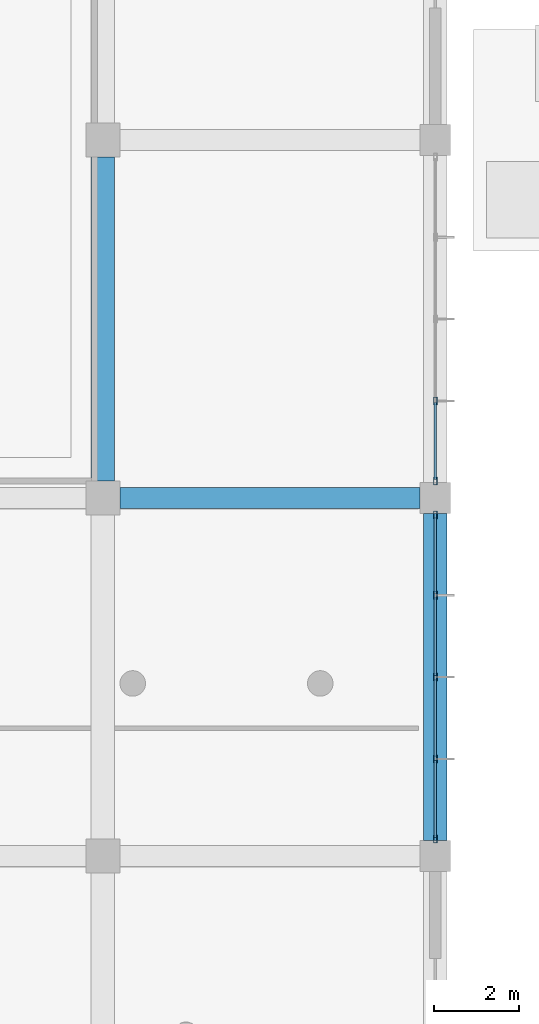
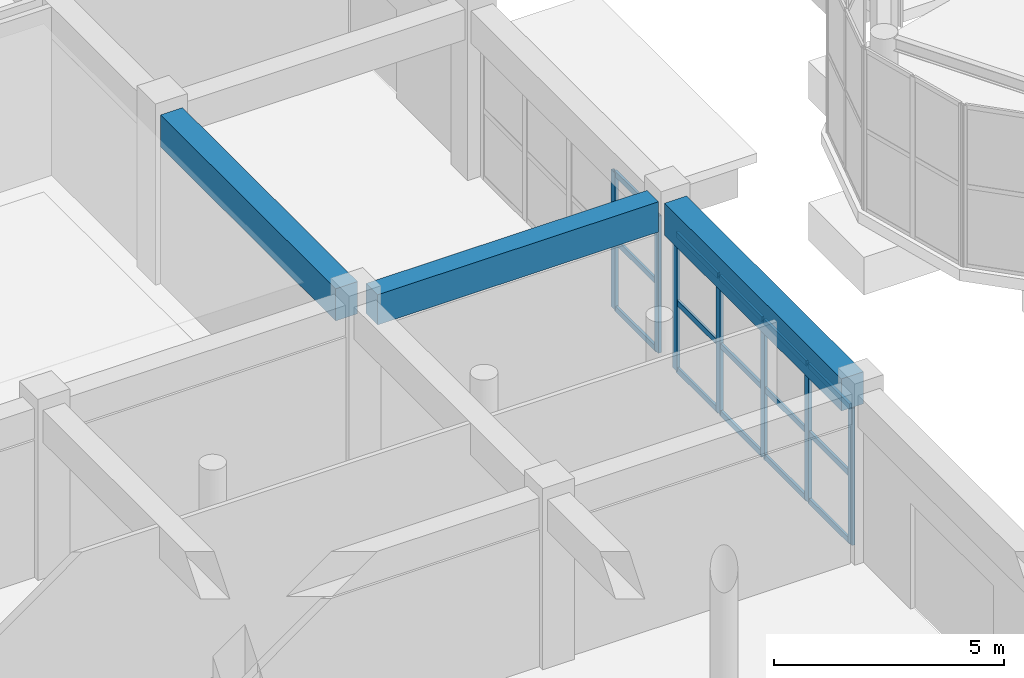
# One storey, part 46 of 139: 22 members, 3 beams, 2 elements without a shape of their own.
"""IFC4 building model written with IfcOpenShell, lengths in metres."""

import ifcopenshell
import ifcopenshell.guid

model = None  # the IFC model being written
_history = None  # IfcOwnerHistory: only IFC2X3 demands one
_inside = {}  # id of a spatial element -> (the spatial element, [elements in it])
_under = {}  # id of a project, library or spatial element -> (it, [spatial elements below it])
_declared = {}  # id of a project -> (the project, [libraries it declares])
_typed = {}  # id of a type object -> (the type object, [elements of that type])
_made_of = {}  # id of a material, layer set ... -> (it, [elements and type objects made of it])


def new_model(schema):
    """Start an empty IFC model of exactly this schema.

    Asked for "IFC4X3", IfcOpenShell would pick the latest addendum, in which some entities
    have other attributes; the version numbers below select the first issue.
    IFC2X3 requires an IfcOwnerHistory on every rooted entity: one is made here for all.
    """
    global model, _history
    if schema == "IFC4X3":
        model = ifcopenshell.file(schema_version=(4, 3, 0, 0))
    else:
        model = ifcopenshell.file(schema=schema)
    _inside.clear()
    _under.clear()
    _declared.clear()
    _typed.clear()
    _made_of.clear()
    _history = None
    if model.schema == "IFC2X3":
        org = make("IfcOrganization", Name="unknown")
        user = make(
            "IfcPersonAndOrganization",
            ThePerson=make("IfcPerson", FamilyName="unknown"),
            TheOrganization=org,
        )
        app = make(
            "IfcApplication",
            ApplicationDeveloper=org,
            Version="unknown",
            ApplicationFullName="unknown",
            ApplicationIdentifier="unknown",
        )
        _history = make(
            "IfcOwnerHistory",
            OwningUser=user,
            OwningApplication=app,
            ChangeAction="ADDED",
            CreationDate=0,
        )
    return model


def make(cls, **values):
    """One entity of the class cls with the attributes given. An attribute that is None is left unset."""
    return model.create_entity(
        cls, **{name: value for name, value in values.items() if value is not None}
    )


def rooted(cls, **values):
    """An entity with a GlobalId (a new one), such as an element, a storey or a relation."""
    return make(cls, GlobalId=ifcopenshell.guid.new(), OwnerHistory=_history, **values)


def si_unit(unit_type, name, prefix=None):
    """IfcSIUnit, for example si_unit("LENGTHUNIT", "METRE", prefix="MILLI")."""
    return make("IfcSIUnit", UnitType=unit_type, Prefix=prefix, Name=name)


def assignment(units):
    """IfcUnitAssignment: the units of a project."""
    return None if units is None else make("IfcUnitAssignment", Units=units)


def point(xyz):
    """IfcCartesianPoint."""
    return None if xyz is None else make("IfcCartesianPoint", Coordinates=xyz)


def direction(xyz):
    """IfcDirection."""
    return None if xyz is None else make("IfcDirection", DirectionRatios=xyz)


def frame(location, z_axis=None, x_axis=None):
    """IfcAxis2Placement3D, a coordinate frame: its origin and axes. An axis left out is left unset."""
    return make(
        "IfcAxis2Placement3D",
        Location=point(location),
        Axis=direction(z_axis),
        RefDirection=direction(x_axis),
    )


def frame_2d(location, x_axis=None):
    """IfcAxis2Placement2D, a coordinate frame in the plane: its origin and x axis."""
    return make(
        "IfcAxis2Placement2D", Location=point(location), RefDirection=direction(x_axis)
    )


def origin():
    """The frame at (0, 0, 0) with its axes left unset."""
    return frame((0.0, 0.0, 0.0))


def origin_2d():
    """The frame at (0, 0) in the plane with its x axis left unset."""
    return frame_2d((0.0, 0.0))


def place(relative_to, where):
    """IfcLocalPlacement: puts the frame where relative to a parent placement (None: the world)."""
    return make(
        "IfcLocalPlacement", PlacementRelTo=relative_to, RelativePlacement=where
    )


def context(
    kind, dimensions, precision=None, world=None, true_north=None, identifier=None
):
    """IfcGeometricRepresentationContext, for example the 3D "Model" context."""
    return make(
        "IfcGeometricRepresentationContext",
        ContextIdentifier=identifier,
        ContextType=kind,
        CoordinateSpaceDimension=dimensions,
        Precision=precision,
        WorldCoordinateSystem=world,
        TrueNorth=true_north,
    )


def subcontext(parent, identifier, kind, view, scale=None):
    """IfcGeometricRepresentationSubContext, for example "Body" below "Model"."""
    return make(
        "IfcGeometricRepresentationSubContext",
        ContextIdentifier=identifier,
        ContextType=kind,
        ParentContext=parent,
        TargetScale=scale,
        TargetView=view,
    )


def project(units=None, contexts=None):
    """IfcProject with its units and contexts."""
    return rooted(
        "IfcProject",
        Name="project",
        RepresentationContexts=contexts,
        UnitsInContext=assignment(units),
    )


def spatial(cls, under=None, at=None, **own):
    """A site, building, storey or space (cls), placed at a placement, below another one or the project."""
    s = rooted(cls, ObjectPlacement=at, **own)
    if under is not None:
        _under.setdefault(under.id(), (under, []))[1].append(s)
    return s


def profile(cls, at=None, kind="AREA", **sizes):
    """A parametric profile (cls). Its sizes go by their IFC names, for example OverallWidth=200.0."""
    return make(cls, ProfileType=kind, Position=at, **sizes)


def rectangle(**sizes):
    """IfcRectangleProfileDef."""
    return profile("IfcRectangleProfileDef", **sizes)


def hollow_rectangle(**sizes):
    """IfcRectangleHollowProfileDef."""
    return profile("IfcRectangleHollowProfileDef", **sizes)


def extrude(swept, where, along, depth):
    """IfcExtrudedAreaSolid: the profile swept, set in the frame where, extruded along a direction by depth."""
    return make(
        "IfcExtrudedAreaSolid",
        SweptArea=swept,
        Position=where,
        ExtrudedDirection=direction(along),
        Depth=depth,
    )


def shape(context_of_items, identifier, shape_type, items):
    """IfcShapeRepresentation: the items that make up one representation, for example the "Body"."""
    return make(
        "IfcShapeRepresentation",
        ContextOfItems=context_of_items,
        RepresentationIdentifier=identifier,
        RepresentationType=shape_type,
        Items=items,
    )


def material(Name=None, Category=None):
    """IfcMaterial."""
    return make("IfcMaterial", Name=Name, Category=Category)


def layer(
    of_material, thickness, ventilated=None, Name=None, Category=None, Priority=None
):
    """IfcMaterialLayer: one layer of a wall or slab, of a material (None: an air gap)."""
    return make(
        "IfcMaterialLayer",
        Material=of_material,
        LayerThickness=thickness,
        IsVentilated=ventilated,
        Name=Name,
        Category=Category,
        Priority=Priority,
    )


def layer_set(layers, Name=None):
    """IfcMaterialLayerSet."""
    return make("IfcMaterialLayerSet", MaterialLayers=layers, LayerSetName=Name)


def material_profile(
    of_material, cross_section, Name=None, Category=None, Priority=None
):
    """IfcMaterialProfile: a cross section and its material."""
    return make(
        "IfcMaterialProfile",
        Name=Name,
        Material=of_material,
        Profile=cross_section,
        Priority=Priority,
        Category=Category,
    )


def profile_set(profiles, Name=None, composite=None):
    """IfcMaterialProfileSet."""
    return make(
        "IfcMaterialProfileSet",
        Name=Name,
        MaterialProfiles=profiles,
        CompositeProfile=composite,
    )


def made_of(thing, what):
    """Note that an element or type object is made of a material, layer set ...; save() writes the relation."""
    if what is not None:
        _made_of.setdefault(what.id(), (what, []))[1].append(thing)
    return thing


def type_object(cls, material=None, **own):
    """A type object (cls), such as IfcWallType, which elements share."""
    return made_of(rooted(cls, **own), material)


def element(
    cls,
    number,
    at=None,
    inside=None,
    cuts=None,
    type_object=None,
    material=None,
    context=None,
    identifier="Body",
    shape_type=None,
    held_by="IfcProductDefinitionShape",
    body=None,
    shapes=None,
    **own,
):
    """One element of the class cls, such as IfcWall. Its Tag is "e" and its number.

    at: its placement. inside: the storey or other place that contains it. cuts: it is an
    opening in that element (IfcRelVoidsElement). A single representation is given by context,
    identifier, shape_type and body (its items); several are given by shapes. held_by: the class
    of the entity that holds the representations. save() writes the other relations.
    """
    e = rooted(cls, Tag="e%d" % number, ObjectPlacement=at, **own)
    if body is not None:
        shapes = [shape(context, identifier, shape_type, body)]
    if shapes is not None:
        e.Representation = make(held_by, Representations=shapes)
    if inside is not None:
        _inside.setdefault(inside.id(), (inside, []))[1].append(e)
    if cuts is not None:
        rooted(
            "IfcRelVoidsElement", RelatingBuildingElement=cuts, RelatedOpeningElement=e
        )
    if type_object is not None:
        _typed.setdefault(type_object.id(), (type_object, []))[1].append(e)
    return made_of(e, material)


def aggregate(whole, parts):
    """IfcRelAggregates: a whole, such as a stair, and the parts it consists of."""
    return rooted("IfcRelAggregates", RelatingObject=whole, RelatedObjects=parts)


def save(model, path):
    """Write the relations noted so far, then the file.

    IfcRelAggregates (storeys below a building ...), IfcRelContainedInSpatialStructure (elements
    in a storey), IfcRelDefinesByType, IfcRelAssociatesMaterial and IfcRelDeclares: one each for
    every whole, place, type object, material and project.
    """
    for whole, parts in _under.values():
        aggregate(whole, parts)
    for where, things in _inside.values():
        rooted(
            "IfcRelContainedInSpatialStructure",
            RelatedElements=things,
            RelatingStructure=where,
        )
    for kind, things in _typed.values():
        rooted("IfcRelDefinesByType", RelatedObjects=things, RelatingType=kind)
    for what, things in _made_of.values():
        rooted("IfcRelAssociatesMaterial", RelatedObjects=things, RelatingMaterial=what)
    for by, libraries in _declared.values():
        rooted("IfcRelDeclares", RelatingContext=by, RelatedDefinitions=libraries)
    model.write(path)


model = new_model("IFC4")

# Units and contexts
model_context = context("Model", 3, precision=1e-05, world=origin(), true_north=direction((0.0, 1.0)))
body_context = subcontext(model_context, "Body", "Model", "MODEL_VIEW")
ifc_project = project(units=[si_unit("LENGTHUNIT", "METRE"), si_unit("AREAUNIT", "SQUARE_METRE"), si_unit("VOLUMEUNIT", "CUBIC_METRE"), si_unit("PLANEANGLEUNIT", "RADIAN"), si_unit("MASSUNIT", "GRAM", prefix="KILO")], contexts=[model_context])

# Site, building, storey
site_placement = place(None, origin())
site = spatial("IfcSite", under=ifc_project, at=site_placement, CompositionType="ELEMENT")
building_placement = place(site_placement, origin())
building = spatial("IfcBuilding", under=site, at=building_placement, Name="Zizhar Promenade General Hospital", CompositionType="ELEMENT")
storey_placement = place(building_placement, origin())
storey = spatial("IfcBuildingStorey", under=building, at=storey_placement, Name="L00", CompositionType="ELEMENT", Elevation=0.0)

# Beams
ifc_material_1 = material(Name="Concrete C35/45", Category="concrete")
ifc_material_profile_1 = material_profile(ifc_material_1, rectangle(XDim=0.5, YDim=0.800048828125, at=origin_2d()))
ifc_profile_set_1 = profile_set([ifc_material_profile_1], Name="Concrete C35/45")
beam_type_1 = type_object("IfcBeamType", Name="BM-RC-500x800", PredefinedType="BEAM", material=ifc_profile_set_1)
beam_1_placement = place(storey_placement, frame((125.199951171875, 25.199951171875, 4.070068359375), z_axis=(1.0, 0.0, 0.0), x_axis=(0.0, 1.0, 0.0)))
element("IfcBeam", 1, at=beam_1_placement, inside=storey, type_object=beam_type_1, Name="Grid Beam X L00 (16-3)", PredefinedType="BEAM", context=body_context, shape_type="SweptSolid", body=[
    extrude(rectangle(XDim=0.5, YDim=0.800048828125, at=origin_2d()), origin(), (0.0, 0.0, 1.0), 7.0400390625),
])
ifc_material_2 = material(Name="Concrete C35/45", Category="concrete")
ifc_material_profile_2 = material_profile(ifc_material_2, rectangle(XDim=0.550048828125, YDim=0.85009765625, at=origin_2d()))
ifc_profile_set_2 = profile_set([ifc_material_profile_2], Name="Concrete C35/45")
beam_type_2 = type_object("IfcBeamType", Name="BM-RC-550x850", PredefinedType="BEAM", material=ifc_profile_set_2)
beam_2_placement = place(storey_placement, frame((124.800048828125, 25.60009765625, 4.044921875), z_axis=(0.0, 1.0, 0.0), x_axis=(-1.0, 0.0, 0.0)))
element("IfcBeam", 2, at=beam_2_placement, inside=storey, type_object=beam_type_2, Name="Grid Beam Y L00 (16-3)", PredefinedType="BEAM", context=body_context, shape_type="SweptSolid", body=[
    extrude(rectangle(XDim=0.550048828125, YDim=0.85009765625, at=origin_2d()), origin(), (0.0, 0.0, 1.0), 7.599853515625),
])
beam_3_placement = place(storey_placement, frame((132.60009765625, 17.159912109375, 4.044921875), z_axis=(0.0, 1.0, 0.0), x_axis=(-1.0, 0.0, 0.0)))
element("IfcBeam", 3, at=beam_3_placement, inside=storey, type_object=beam_type_2, Name="Grid Beam Y L00 (17-2)", PredefinedType="BEAM", context=body_context, shape_type="SweptSolid", body=[
    extrude(rectangle(XDim=0.550048828125, YDim=0.85009765625, at=origin_2d()), origin(), (0.0, 0.0, 1.0), 7.68017578125),
])

# Curtain wall, members
ifc_material_3 = material(Name="Anodised aluminium 6063-T6 and low-E glass", Category="aluminium")
ifc_layer = layer(ifc_material_3, 0.159912109375)
ifc_layer_set = layer_set([ifc_layer], Name="Anodised aluminium 6063-T6 and low-E glass")
curtain_wall_type = type_object("IfcCurtainWallType", Name="CW-HALL-S", PredefinedType="NOTDEFINED", material=ifc_layer_set)
curtain_wall_1_placement = place(storey_placement, origin())
curtain_wall_1 = element("IfcCurtainWall", 4, at=curtain_wall_1_placement, inside=storey, type_object=curtain_wall_type, Name="Forecourt Arrival Glazed Curtain Wall L00-2", PredefinedType="NOTDEFINED")
ifc_material_4 = material(Name="Anodised aluminium 6063-T6", Category="aluminium")
ifc_material_profile_3 = material_profile(ifc_material_4, hollow_rectangle(XDim=0.080078125, YDim=0.179931640625, WallThickness=0.0048828125, at=origin_2d()))
ifc_profile_set_3 = profile_set([ifc_material_profile_3], Name="Anodised aluminium 6063-T6")
member_type_1 = type_object("IfcMemberType", Name="CWM-ALU-180x80", PredefinedType="MULLION", material=ifc_profile_set_3)
member_1_placement = place(storey_placement, frame((132.60009765625, 24.800048828125, 0.0), z_axis=(0.0, 0.0, 1.0), x_axis=(1.0, 0.0, 0.0)))
member_1 = element("IfcMember", 5, at=member_1_placement, type_object=member_type_1, Name="CW-01 mullion 1", PredefinedType="MULLION", context=body_context, shape_type="SweptSolid", body=[
    extrude(hollow_rectangle(XDim=0.080078125, YDim=0.179931640625, WallThickness=0.0048828125, at=origin_2d()), origin(), (0.0, 0.0, 1.0), 3.6298828125),
])
member_2_placement = place(storey_placement, frame((132.60009765625, 22.919921875, 0.0), z_axis=(0.0, 0.0, 1.0), x_axis=(1.0, 0.0, 0.0)))
member_2 = element("IfcMember", 6, at=member_2_placement, type_object=member_type_1, Name="CW-01 mullion 2", PredefinedType="MULLION", context=body_context, shape_type="SweptSolid", body=[
    extrude(hollow_rectangle(XDim=0.080078125, YDim=0.179931640625, WallThickness=0.0048828125, at=origin_2d()), origin(), (0.0, 0.0, 1.0), 3.6298828125),
])
member_3_placement = place(storey_placement, frame((132.60009765625, 21.0, 0.0), z_axis=(0.0, 0.0, 1.0), x_axis=(1.0, 0.0, 0.0)))
member_3 = element("IfcMember", 7, at=member_3_placement, type_object=member_type_1, Name="CW-01 mullion 3", PredefinedType="MULLION", context=body_context, shape_type="SweptSolid", body=[
    extrude(hollow_rectangle(XDim=0.080078125, YDim=0.179931640625, WallThickness=0.0048828125, at=origin_2d()), origin(), (0.0, 0.0, 1.0), 3.6298828125),
])
member_4_placement = place(storey_placement, frame((132.60009765625, 19.080078125, 0.0), z_axis=(0.0, 0.0, 1.0), x_axis=(1.0, 0.0, 0.0)))
member_4 = element("IfcMember", 8, at=member_4_placement, type_object=member_type_1, Name="CW-01 mullion 4", PredefinedType="MULLION", context=body_context, shape_type="SweptSolid", body=[
    extrude(hollow_rectangle(XDim=0.080078125, YDim=0.179931640625, WallThickness=0.0048828125, at=origin_2d()), origin(), (0.0, 0.0, 1.0), 3.6298828125),
])
member_5_placement = place(storey_placement, frame((132.60009765625, 17.199951171875, 0.0), z_axis=(0.0, 0.0, 1.0), x_axis=(1.0, 0.0, 0.0)))
member_5 = element("IfcMember", 9, at=member_5_placement, type_object=member_type_1, Name="CW-01 mullion 5", PredefinedType="MULLION", context=body_context, shape_type="SweptSolid", body=[
    extrude(hollow_rectangle(XDim=0.080078125, YDim=0.179931640625, WallThickness=0.0048828125, at=origin_2d()), origin(), (0.0, 0.0, 1.0), 3.6298828125),
])

curtain_wall_2_placement = place(storey_placement, origin())
curtain_wall_2 = element("IfcCurtainWall", 10, at=curtain_wall_2_placement, inside=storey, type_object=curtain_wall_type, Name="Forecourt Arrival Glazed Curtain Wall L00-3", PredefinedType="NOTDEFINED")
member_6_placement = place(storey_placement, frame((132.60009765625, 27.47998046875, 0.0), z_axis=(0.0, 0.0, 1.0), x_axis=(1.0, 0.0, 0.0)))
member_6 = element("IfcMember", 11, at=member_6_placement, type_object=member_type_1, Name="CW-01 mullion 4", PredefinedType="MULLION", context=body_context, shape_type="SweptSolid", body=[
    extrude(hollow_rectangle(XDim=0.080078125, YDim=0.179931640625, WallThickness=0.0048828125, at=origin_2d()), origin(), (0.0, 0.0, 1.0), 3.6298828125),
])
member_7_placement = place(storey_placement, frame((132.60009765625, 25.60009765625, 0.0), z_axis=(0.0, 0.0, 1.0), x_axis=(1.0, 0.0, 0.0)))
member_7 = element("IfcMember", 12, at=member_7_placement, type_object=member_type_1, Name="CW-01 mullion 5", PredefinedType="MULLION", context=body_context, shape_type="SweptSolid", body=[
    extrude(hollow_rectangle(XDim=0.080078125, YDim=0.179931640625, WallThickness=0.0048828125, at=origin_2d()), origin(), (0.0, 0.0, 1.0), 3.6298828125),
])

# Member
ifc_material_5 = material(Name="Anodised aluminium 6063-T6", Category="aluminium")
ifc_material_profile_4 = material_profile(ifc_material_5, hollow_rectangle(XDim=0.06005859375, YDim=0.14990234375, WallThickness=0.00390625, at=origin_2d()))
ifc_profile_set_4 = profile_set([ifc_material_profile_4], Name="Anodised aluminium 6063-T6")
member_type_2 = type_object("IfcMemberType", Name="CWT-ALU-150x60", PredefinedType="USERDEFINED", material=ifc_profile_set_4)
member_8_placement = place(storey_placement, frame((132.60009765625, 24.760009765625, 0.030029296875), z_axis=(0.0, -1.0, 0.0), x_axis=(1.0, 0.0, 0.0)))
member_8 = element("IfcMember", 13, at=member_8_placement, type_object=member_type_2, Name="CW-01 transom 1.1", ObjectType="TRANSOM", PredefinedType="USERDEFINED", context=body_context, shape_type="SweptSolid", body=[
    extrude(hollow_rectangle(XDim=0.06005859375, YDim=0.14990234375, WallThickness=0.00390625, at=origin_2d()), origin(), (0.0, 0.0, 1.0), 1.800048828125),
])

member_9_placement = place(storey_placement, frame((132.60009765625, 24.760009765625, 1.81494140625), z_axis=(0.0, -1.0, 0.0), x_axis=(1.0, 0.0, 0.0)))
member_9 = element("IfcMember", 14, at=member_9_placement, type_object=member_type_2, Name="CW-01 transom 1.2", ObjectType="TRANSOM", PredefinedType="USERDEFINED", context=body_context, shape_type="SweptSolid", body=[
    extrude(hollow_rectangle(XDim=0.06005859375, YDim=0.14990234375, WallThickness=0.00390625, at=origin_2d()), origin(), (0.0, 0.0, 1.0), 1.800048828125),
])

member_10_placement = place(storey_placement, frame((132.60009765625, 24.760009765625, 3.60009765625), z_axis=(0.0, -1.0, 0.0), x_axis=(1.0, 0.0, 0.0)))
member_10 = element("IfcMember", 15, at=member_10_placement, type_object=member_type_2, Name="CW-01 transom 1.3", ObjectType="TRANSOM", PredefinedType="USERDEFINED", context=body_context, shape_type="SweptSolid", body=[
    extrude(hollow_rectangle(XDim=0.06005859375, YDim=0.14990234375, WallThickness=0.00390625, at=origin_2d()), origin(), (0.0, 0.0, 1.0), 1.800048828125),
])

member_11_placement = place(storey_placement, frame((132.60009765625, 22.8798828125, 0.030029296875), z_axis=(0.0, -1.0, 0.0), x_axis=(1.0, 0.0, 0.0)))
member_11 = element("IfcMember", 16, at=member_11_placement, type_object=member_type_2, Name="CW-01 transom 2.1", ObjectType="TRANSOM", PredefinedType="USERDEFINED", context=body_context, shape_type="SweptSolid", body=[
    extrude(hollow_rectangle(XDim=0.06005859375, YDim=0.14990234375, WallThickness=0.00390625, at=origin_2d()), origin(), (0.0, 0.0, 1.0), 1.83984375),
])

member_12_placement = place(storey_placement, frame((132.60009765625, 22.8798828125, 1.81494140625), z_axis=(0.0, -1.0, 0.0), x_axis=(1.0, 0.0, 0.0)))
member_12 = element("IfcMember", 17, at=member_12_placement, type_object=member_type_2, Name="CW-01 transom 2.2", ObjectType="TRANSOM", PredefinedType="USERDEFINED", context=body_context, shape_type="SweptSolid", body=[
    extrude(hollow_rectangle(XDim=0.06005859375, YDim=0.14990234375, WallThickness=0.00390625, at=origin_2d()), origin(), (0.0, 0.0, 1.0), 1.83984375),
])

member_13_placement = place(storey_placement, frame((132.60009765625, 22.8798828125, 3.60009765625), z_axis=(0.0, -1.0, 0.0), x_axis=(1.0, 0.0, 0.0)))
member_13 = element("IfcMember", 18, at=member_13_placement, type_object=member_type_2, Name="CW-01 transom 2.3", ObjectType="TRANSOM", PredefinedType="USERDEFINED", context=body_context, shape_type="SweptSolid", body=[
    extrude(hollow_rectangle(XDim=0.06005859375, YDim=0.14990234375, WallThickness=0.00390625, at=origin_2d()), origin(), (0.0, 0.0, 1.0), 1.83984375),
])

member_14_placement = place(storey_placement, frame((132.60009765625, 20.9599609375, 0.030029296875), z_axis=(0.0, -1.0, 0.0), x_axis=(1.0, 0.0, 0.0)))
member_14 = element("IfcMember", 19, at=member_14_placement, type_object=member_type_2, Name="CW-01 transom 3.1", ObjectType="TRANSOM", PredefinedType="USERDEFINED", context=body_context, shape_type="SweptSolid", body=[
    extrude(hollow_rectangle(XDim=0.06005859375, YDim=0.14990234375, WallThickness=0.00390625, at=origin_2d()), origin(), (0.0, 0.0, 1.0), 1.83984375),
])

member_15_placement = place(storey_placement, frame((132.60009765625, 20.9599609375, 1.81494140625), z_axis=(0.0, -1.0, 0.0), x_axis=(1.0, 0.0, 0.0)))
member_15 = element("IfcMember", 20, at=member_15_placement, type_object=member_type_2, Name="CW-01 transom 3.2", ObjectType="TRANSOM", PredefinedType="USERDEFINED", context=body_context, shape_type="SweptSolid", body=[
    extrude(hollow_rectangle(XDim=0.06005859375, YDim=0.14990234375, WallThickness=0.00390625, at=origin_2d()), origin(), (0.0, 0.0, 1.0), 1.83984375),
])

member_16_placement = place(storey_placement, frame((132.60009765625, 20.9599609375, 3.60009765625), z_axis=(0.0, -1.0, 0.0), x_axis=(1.0, 0.0, 0.0)))
member_16 = element("IfcMember", 21, at=member_16_placement, type_object=member_type_2, Name="CW-01 transom 3.3", ObjectType="TRANSOM", PredefinedType="USERDEFINED", context=body_context, shape_type="SweptSolid", body=[
    extrude(hollow_rectangle(XDim=0.06005859375, YDim=0.14990234375, WallThickness=0.00390625, at=origin_2d()), origin(), (0.0, 0.0, 1.0), 1.83984375),
])

member_17_placement = place(storey_placement, frame((132.60009765625, 19.0400390625, 0.030029296875), z_axis=(0.0, -1.0, 0.0), x_axis=(1.0, 0.0, 0.0)))
member_17 = element("IfcMember", 22, at=member_17_placement, type_object=member_type_2, Name="CW-01 transom 4.1", ObjectType="TRANSOM", PredefinedType="USERDEFINED", context=body_context, shape_type="SweptSolid", body=[
    extrude(hollow_rectangle(XDim=0.06005859375, YDim=0.14990234375, WallThickness=0.00390625, at=origin_2d()), origin(), (0.0, 0.0, 1.0), 1.800048828125),
])

member_18_placement = place(storey_placement, frame((132.60009765625, 19.0400390625, 1.81494140625), z_axis=(0.0, -1.0, 0.0), x_axis=(1.0, 0.0, 0.0)))
member_18 = element("IfcMember", 23, at=member_18_placement, type_object=member_type_2, Name="CW-01 transom 4.2", ObjectType="TRANSOM", PredefinedType="USERDEFINED", context=body_context, shape_type="SweptSolid", body=[
    extrude(hollow_rectangle(XDim=0.06005859375, YDim=0.14990234375, WallThickness=0.00390625, at=origin_2d()), origin(), (0.0, 0.0, 1.0), 1.800048828125),
])

member_19_placement = place(storey_placement, frame((132.60009765625, 19.0400390625, 3.60009765625), z_axis=(0.0, -1.0, 0.0), x_axis=(1.0, 0.0, 0.0)))
member_19 = element("IfcMember", 24, at=member_19_placement, type_object=member_type_2, Name="CW-01 transom 4.3", ObjectType="TRANSOM", PredefinedType="USERDEFINED", context=body_context, shape_type="SweptSolid", body=[
    extrude(hollow_rectangle(XDim=0.06005859375, YDim=0.14990234375, WallThickness=0.00390625, at=origin_2d()), origin(), (0.0, 0.0, 1.0), 1.800048828125),
])

aggregate(curtain_wall_1, [member_1, member_2, member_3, member_4, member_5, member_8, member_9, member_10, member_11, member_12, member_13, member_14, member_15, member_16, member_17, member_18, member_19])

member_20_placement = place(storey_placement, frame((132.60009765625, 27.43994140625, 0.030029296875), z_axis=(0.0, -1.0, 0.0), x_axis=(1.0, 0.0, 0.0)))
member_20 = element("IfcMember", 25, at=member_20_placement, type_object=member_type_2, Name="CW-01 transom 4.1", ObjectType="TRANSOM", PredefinedType="USERDEFINED", context=body_context, shape_type="SweptSolid", body=[
    extrude(hollow_rectangle(XDim=0.06005859375, YDim=0.14990234375, WallThickness=0.00390625, at=origin_2d()), origin(), (0.0, 0.0, 1.0), 1.800048828125),
])

member_21_placement = place(storey_placement, frame((132.60009765625, 27.43994140625, 1.81494140625), z_axis=(0.0, -1.0, 0.0), x_axis=(1.0, 0.0, 0.0)))
member_21 = element("IfcMember", 26, at=member_21_placement, type_object=member_type_2, Name="CW-01 transom 4.2", ObjectType="TRANSOM", PredefinedType="USERDEFINED", context=body_context, shape_type="SweptSolid", body=[
    extrude(hollow_rectangle(XDim=0.06005859375, YDim=0.14990234375, WallThickness=0.00390625, at=origin_2d()), origin(), (0.0, 0.0, 1.0), 1.800048828125),
])

member_22_placement = place(storey_placement, frame((132.60009765625, 27.43994140625, 3.60009765625), z_axis=(0.0, -1.0, 0.0), x_axis=(1.0, 0.0, 0.0)))
member_22 = element("IfcMember", 27, at=member_22_placement, type_object=member_type_2, Name="CW-01 transom 4.3", ObjectType="TRANSOM", PredefinedType="USERDEFINED", context=body_context, shape_type="SweptSolid", body=[
    extrude(hollow_rectangle(XDim=0.06005859375, YDim=0.14990234375, WallThickness=0.00390625, at=origin_2d()), origin(), (0.0, 0.0, 1.0), 1.800048828125),
])

aggregate(curtain_wall_2, [member_6, member_7, member_20, member_21, member_22])

save(model, "model.ifc")
